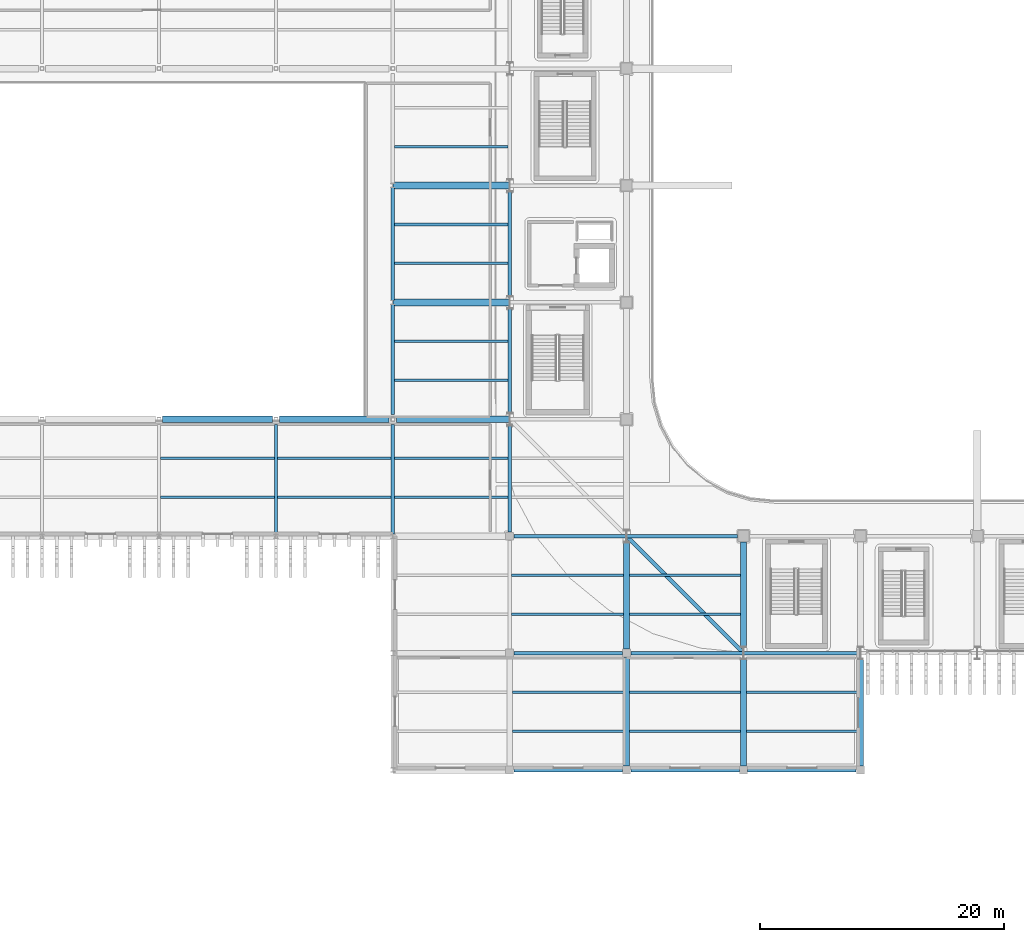
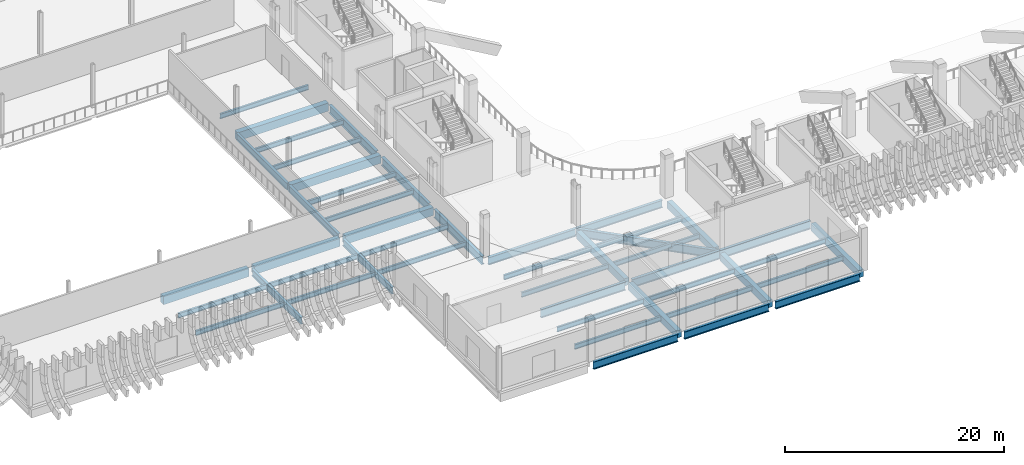
# One storey, part 17 of 100: 47 beams.
"""IFC4 building model written with IfcOpenShell, lengths in metres."""

import ifcopenshell
import ifcopenshell.guid

model = None  # the IFC model being written
_history = None  # IfcOwnerHistory: only IFC2X3 demands one
_inside = {}  # id of a spatial element -> (the spatial element, [elements in it])
_under = {}  # id of a project, library or spatial element -> (it, [spatial elements below it])
_declared = {}  # id of a project -> (the project, [libraries it declares])
_typed = {}  # id of a type object -> (the type object, [elements of that type])
_made_of = {}  # id of a material, layer set ... -> (it, [elements and type objects made of it])


def new_model(schema):
    """Start an empty IFC model of exactly this schema.

    Asked for "IFC4X3", IfcOpenShell would pick the latest addendum, in which some entities
    have other attributes; the version numbers below select the first issue.
    IFC2X3 requires an IfcOwnerHistory on every rooted entity: one is made here for all.
    """
    global model, _history
    if schema == "IFC4X3":
        model = ifcopenshell.file(schema_version=(4, 3, 0, 0))
    else:
        model = ifcopenshell.file(schema=schema)
    _inside.clear()
    _under.clear()
    _declared.clear()
    _typed.clear()
    _made_of.clear()
    _history = None
    if model.schema == "IFC2X3":
        org = make("IfcOrganization", Name="unknown")
        user = make(
            "IfcPersonAndOrganization",
            ThePerson=make("IfcPerson", FamilyName="unknown"),
            TheOrganization=org,
        )
        app = make(
            "IfcApplication",
            ApplicationDeveloper=org,
            Version="unknown",
            ApplicationFullName="unknown",
            ApplicationIdentifier="unknown",
        )
        _history = make(
            "IfcOwnerHistory",
            OwningUser=user,
            OwningApplication=app,
            ChangeAction="ADDED",
            CreationDate=0,
        )
    return model


def make(cls, **values):
    """One entity of the class cls with the attributes given. An attribute that is None is left unset."""
    return model.create_entity(
        cls, **{name: value for name, value in values.items() if value is not None}
    )


def rooted(cls, **values):
    """An entity with a GlobalId (a new one), such as an element, a storey or a relation."""
    return make(cls, GlobalId=ifcopenshell.guid.new(), OwnerHistory=_history, **values)


def si_unit(unit_type, name, prefix=None):
    """IfcSIUnit, for example si_unit("LENGTHUNIT", "METRE", prefix="MILLI")."""
    return make("IfcSIUnit", UnitType=unit_type, Prefix=prefix, Name=name)


def assignment(units):
    """IfcUnitAssignment: the units of a project."""
    return None if units is None else make("IfcUnitAssignment", Units=units)


def point(xyz):
    """IfcCartesianPoint."""
    return None if xyz is None else make("IfcCartesianPoint", Coordinates=xyz)


def direction(xyz):
    """IfcDirection."""
    return None if xyz is None else make("IfcDirection", DirectionRatios=xyz)


def frame(location, z_axis=None, x_axis=None):
    """IfcAxis2Placement3D, a coordinate frame: its origin and axes. An axis left out is left unset."""
    return make(
        "IfcAxis2Placement3D",
        Location=point(location),
        Axis=direction(z_axis),
        RefDirection=direction(x_axis),
    )


def frame_2d(location, x_axis=None):
    """IfcAxis2Placement2D, a coordinate frame in the plane: its origin and x axis."""
    return make(
        "IfcAxis2Placement2D", Location=point(location), RefDirection=direction(x_axis)
    )


def origin():
    """The frame at (0, 0, 0) with its axes left unset."""
    return frame((0.0, 0.0, 0.0))


def origin_2d():
    """The frame at (0, 0) in the plane with its x axis left unset."""
    return frame_2d((0.0, 0.0))


def place(relative_to, where):
    """IfcLocalPlacement: puts the frame where relative to a parent placement (None: the world)."""
    return make(
        "IfcLocalPlacement", PlacementRelTo=relative_to, RelativePlacement=where
    )


def context(
    kind, dimensions, precision=None, world=None, true_north=None, identifier=None
):
    """IfcGeometricRepresentationContext, for example the 3D "Model" context."""
    return make(
        "IfcGeometricRepresentationContext",
        ContextIdentifier=identifier,
        ContextType=kind,
        CoordinateSpaceDimension=dimensions,
        Precision=precision,
        WorldCoordinateSystem=world,
        TrueNorth=true_north,
    )


def subcontext(parent, identifier, kind, view, scale=None):
    """IfcGeometricRepresentationSubContext, for example "Body" below "Model"."""
    return make(
        "IfcGeometricRepresentationSubContext",
        ContextIdentifier=identifier,
        ContextType=kind,
        ParentContext=parent,
        TargetScale=scale,
        TargetView=view,
    )


def project(units=None, contexts=None):
    """IfcProject with its units and contexts."""
    return rooted(
        "IfcProject",
        Name="project",
        RepresentationContexts=contexts,
        UnitsInContext=assignment(units),
    )


def spatial(cls, under=None, at=None, **own):
    """A site, building, storey or space (cls), placed at a placement, below another one or the project."""
    s = rooted(cls, ObjectPlacement=at, **own)
    if under is not None:
        _under.setdefault(under.id(), (under, []))[1].append(s)
    return s


def profile(cls, at=None, kind="AREA", **sizes):
    """A parametric profile (cls). Its sizes go by their IFC names, for example OverallWidth=200.0."""
    return make(cls, ProfileType=kind, Position=at, **sizes)


def rectangle(**sizes):
    """IfcRectangleProfileDef."""
    return profile("IfcRectangleProfileDef", **sizes)


def i_section(**sizes):
    """IfcIShapeProfileDef."""
    return profile("IfcIShapeProfileDef", **sizes)


def extrude(swept, where, along, depth):
    """IfcExtrudedAreaSolid: the profile swept, set in the frame where, extruded along a direction by depth."""
    return make(
        "IfcExtrudedAreaSolid",
        SweptArea=swept,
        Position=where,
        ExtrudedDirection=direction(along),
        Depth=depth,
    )


def shape(context_of_items, identifier, shape_type, items):
    """IfcShapeRepresentation: the items that make up one representation, for example the "Body"."""
    return make(
        "IfcShapeRepresentation",
        ContextOfItems=context_of_items,
        RepresentationIdentifier=identifier,
        RepresentationType=shape_type,
        Items=items,
    )


def material(Name=None, Category=None):
    """IfcMaterial."""
    return make("IfcMaterial", Name=Name, Category=Category)


def material_profile(
    of_material, cross_section, Name=None, Category=None, Priority=None
):
    """IfcMaterialProfile: a cross section and its material."""
    return make(
        "IfcMaterialProfile",
        Name=Name,
        Material=of_material,
        Profile=cross_section,
        Priority=Priority,
        Category=Category,
    )


def profile_set(profiles, Name=None, composite=None):
    """IfcMaterialProfileSet."""
    return make(
        "IfcMaterialProfileSet",
        Name=Name,
        MaterialProfiles=profiles,
        CompositeProfile=composite,
    )


def made_of(thing, what):
    """Note that an element or type object is made of a material, layer set ...; save() writes the relation."""
    if what is not None:
        _made_of.setdefault(what.id(), (what, []))[1].append(thing)
    return thing


def type_object(cls, material=None, **own):
    """A type object (cls), such as IfcWallType, which elements share."""
    return made_of(rooted(cls, **own), material)


def element(
    cls,
    number,
    at=None,
    inside=None,
    cuts=None,
    type_object=None,
    material=None,
    context=None,
    identifier="Body",
    shape_type=None,
    held_by="IfcProductDefinitionShape",
    body=None,
    shapes=None,
    **own,
):
    """One element of the class cls, such as IfcWall. Its Tag is "e" and its number.

    at: its placement. inside: the storey or other place that contains it. cuts: it is an
    opening in that element (IfcRelVoidsElement). A single representation is given by context,
    identifier, shape_type and body (its items); several are given by shapes. held_by: the class
    of the entity that holds the representations. save() writes the other relations.
    """
    e = rooted(cls, Tag="e%d" % number, ObjectPlacement=at, **own)
    if body is not None:
        shapes = [shape(context, identifier, shape_type, body)]
    if shapes is not None:
        e.Representation = make(held_by, Representations=shapes)
    if inside is not None:
        _inside.setdefault(inside.id(), (inside, []))[1].append(e)
    if cuts is not None:
        rooted(
            "IfcRelVoidsElement", RelatingBuildingElement=cuts, RelatedOpeningElement=e
        )
    if type_object is not None:
        _typed.setdefault(type_object.id(), (type_object, []))[1].append(e)
    return made_of(e, material)


def aggregate(whole, parts):
    """IfcRelAggregates: a whole, such as a stair, and the parts it consists of."""
    return rooted("IfcRelAggregates", RelatingObject=whole, RelatedObjects=parts)


def save(model, path):
    """Write the relations noted so far, then the file.

    IfcRelAggregates (storeys below a building ...), IfcRelContainedInSpatialStructure (elements
    in a storey), IfcRelDefinesByType, IfcRelAssociatesMaterial and IfcRelDeclares: one each for
    every whole, place, type object, material and project.
    """
    for whole, parts in _under.values():
        aggregate(whole, parts)
    for where, things in _inside.values():
        rooted(
            "IfcRelContainedInSpatialStructure",
            RelatedElements=things,
            RelatingStructure=where,
        )
    for kind, things in _typed.values():
        rooted("IfcRelDefinesByType", RelatedObjects=things, RelatingType=kind)
    for what, things in _made_of.values():
        rooted("IfcRelAssociatesMaterial", RelatedObjects=things, RelatingMaterial=what)
    for by, libraries in _declared.values():
        rooted("IfcRelDeclares", RelatingContext=by, RelatedDefinitions=libraries)
    model.write(path)


model = new_model("IFC4")

# Units and contexts
model_context = context("Model", 3, precision=1e-05, world=origin(), true_north=direction((0.0, 1.0)))
body_context = subcontext(model_context, "Body", "Model", "MODEL_VIEW")
ifc_project = project(units=[si_unit("LENGTHUNIT", "METRE"), si_unit("AREAUNIT", "SQUARE_METRE"), si_unit("VOLUMEUNIT", "CUBIC_METRE"), si_unit("PLANEANGLEUNIT", "RADIAN"), si_unit("MASSUNIT", "GRAM", prefix="KILO")], contexts=[model_context])

# Site, building, storey
site_placement = place(None, origin())
site = spatial("IfcSite", under=ifc_project, at=site_placement, CompositionType="ELEMENT")
building_placement = place(site_placement, origin())
building = spatial("IfcBuilding", under=site, at=building_placement, Name="Caelomonte Colonnade Arena", CompositionType="ELEMENT")
storey_placement = place(building_placement, origin())
storey = spatial("IfcBuildingStorey", under=building, at=storey_placement, Name="L00", CompositionType="ELEMENT", Elevation=0.0)

# Beams
ifc_material_1 = material(Name="Wide-flange steel ASTM A992 Grade 50", Category="steel")
ifc_material_profile_1 = material_profile(ifc_material_1, i_section(OverallWidth=0.307861328125, OverallDepth=0.927001953125, WebThickness=0.019287109375, FlangeThickness=0.031982421875, FilletRadius=0.020263671875, at=origin_2d()), Name="W36X194")
ifc_profile_set_1 = profile_set([ifc_material_profile_1], Name="Wide-flange steel ASTM A992 Grade 50")
beam_type_1 = type_object("IfcBeamType", Name="STR-BM-EAVES2", PredefinedType="SPANDREL", material=ifc_profile_set_1)
beam_1_placement = place(storey_placement, frame((57.94189453125, 19.199951171875, -0.763427734375), z_axis=(1.0, 0.0, 0.0), x_axis=(0.0, 1.0, 0.0)))
element("IfcBeam", 1, at=beam_1_placement, inside=storey, type_object=beam_type_1, Name="L00 girder BMX-L00-0576-0192", PredefinedType="SPANDREL", context=body_context, shape_type="SweptSolid", body=[
    extrude(i_section(OverallWidth=0.307861328125, OverallDepth=0.927001953125, WebThickness=0.019287109375, FlangeThickness=0.031982421875, FilletRadius=0.020263671875, at=origin_2d()), origin(), (0.0, 0.0, 1.0), 8.916015625),
])
beam_2_placement = place(storey_placement, frame((67.5419921875, 19.199951171875, -0.763427734375), z_axis=(1.0, 0.0, 0.0), x_axis=(0.0, 1.0, 0.0)))
element("IfcBeam", 2, at=beam_2_placement, inside=storey, type_object=beam_type_1, Name="L00 girder BMX-L00-0672-0192", PredefinedType="SPANDREL", context=body_context, shape_type="SweptSolid", body=[
    extrude(i_section(OverallWidth=0.307861328125, OverallDepth=0.927001953125, WebThickness=0.019287109375, FlangeThickness=0.031982421875, FilletRadius=0.020263671875, at=origin_2d()), origin(), (0.0, 0.0, 1.0), 9.242431640625),
])
beam_3_placement = place(storey_placement, frame((76.8154296875, 19.199951171875, -0.763427734375), z_axis=(1.0, 0.0, 0.0), x_axis=(0.0, 1.0, 0.0)))
element("IfcBeam", 3, at=beam_3_placement, inside=storey, type_object=beam_type_1, Name="L00 girder BMX-L00-0768-0192", PredefinedType="SPANDREL", context=body_context, shape_type="SweptSolid", body=[
    extrude(i_section(OverallWidth=0.307861328125, OverallDepth=0.927001953125, WebThickness=0.019287109375, FlangeThickness=0.031982421875, FilletRadius=0.020263671875, at=origin_2d()), origin(), (0.0, 0.0, 1.0), 9.569091796875),
])
beam_4_placement = place(storey_placement, frame((57.60009765625, 29.14208984375, -0.763427734375), z_axis=(0.0, 1.0, 0.0), x_axis=(-1.0, 0.0, 0.0)))
element("IfcBeam", 4, at=beam_4_placement, inside=storey, type_object=beam_type_1, Name="L00 girder BMY-L00-0576-0288", PredefinedType="SPANDREL", context=body_context, shape_type="SweptSolid", body=[
    extrude(i_section(OverallWidth=0.307861328125, OverallDepth=0.927001953125, WebThickness=0.019287109375, FlangeThickness=0.031982421875, FilletRadius=0.020263671875, at=origin_2d()), origin(), (0.0, 0.0, 1.0), 8.7451171875),
])
for number, where, z_axis, x_axis, name in (
    (5, (57.60009765625, 38.91259765625, -0.763427734375), (0.0, 1.0, 0.0), (-1.0, 0.0, 0.0), "L00 girder BMY-L00-0576-0384"),
    (6, (57.60009765625, 48.5126953125, -0.763427734375), (0.0, 1.0, 0.0), (-1.0, 0.0, 0.0), "L00 girder BMY-L00-0576-0480"),
):
    element("IfcBeam", number, at=place(storey_placement, frame(where, z_axis=z_axis, x_axis=x_axis)), inside=storey, type_object=beam_type_1, Name=name, PredefinedType="SPANDREL", context=body_context, shape_type="SweptSolid", body=[
        extrude(i_section(OverallWidth=0.307861328125, OverallDepth=0.927001953125, WebThickness=0.019287109375, FlangeThickness=0.031982421875, FilletRadius=0.020263671875, at=origin_2d()), origin(), (0.0, 0.0, 1.0), 8.57470703125),
    ])
beam_5_placement = place(storey_placement, frame((67.34521484375, 28.65478515625, -0.763427734375), z_axis=(0.707106781187, -0.707106781187, 0.0), x_axis=(0.707106781187, 0.707106781187, 0.0)))
element("IfcBeam", 7, at=beam_5_placement, inside=storey, type_object=beam_type_1, Name="L00 drum corner ring girder 2", PredefinedType="SPANDREL", context=body_context, shape_type="SweptSolid", body=[
    extrude(i_section(OverallWidth=0.307861328125, OverallDepth=0.927001953125, WebThickness=0.019287109375, FlangeThickness=0.031982421875, FilletRadius=0.020263671875, at=origin_2d()), origin(), (0.0, 0.0, 1.0), 13.165771484375),
])
ifc_material_profile_2 = material_profile(ifc_material_1, i_section(OverallWidth=0.2666015625, OverallDepth=0.761962890625, WebThickness=0.014404296875, FlangeThickness=0.021484375, FilletRadius=0.0166015625, at=origin_2d()), Name="W30X116")
ifc_profile_set_2 = profile_set([ifc_material_profile_2], Name="Wide-flange steel ASTM A992 Grade 50")
beam_type_2 = type_object("IfcBeamType", Name="STR-BM-GIRD30", PredefinedType="BEAM", material=ifc_profile_set_2)
for number, where, z_axis, x_axis, name in (
    (8, (38.39990234375, 28.978271484375, -0.680908203125), (0.0, 1.0, 0.0), (-1.0, 0.0, 0.0), "L00 girder BMY-L00-0384-0288"),
    (9, (48.0, 28.978271484375, -0.680908203125), (0.0, 1.0, 0.0), (-1.0, 0.0, 0.0), "L00 girder BMY-L00-0480-0288"),
):
    element("IfcBeam", number, at=place(storey_placement, frame(where, z_axis=z_axis, x_axis=x_axis)), inside=storey, type_object=beam_type_2, Name=name, PredefinedType="BEAM", context=body_context, shape_type="SweptSolid", body=[
        extrude(i_section(OverallWidth=0.2666015625, OverallDepth=0.761962890625, WebThickness=0.014404296875, FlangeThickness=0.021484375, FilletRadius=0.0166015625, at=origin_2d()), origin(), (0.0, 0.0, 1.0), 9.004638671875),
    ])
beam_6_placement = place(storey_placement, frame((48.0, 38.81689453125, -0.680908203125), z_axis=(0.0, 1.0, 0.0), x_axis=(-1.0, 0.0, 0.0)))
element("IfcBeam", 10, at=beam_6_placement, inside=storey, type_object=beam_type_2, Name="L00 girder BMY-L00-0480-0384", PredefinedType="BEAM", context=body_context, shape_type="SweptSolid", body=[
    extrude(i_section(OverallWidth=0.2666015625, OverallDepth=0.761962890625, WebThickness=0.014404296875, FlangeThickness=0.021484375, FilletRadius=0.0166015625, at=origin_2d()), origin(), (0.0, 0.0, 1.0), 9.0048828125),
])
beam_7_placement = place(storey_placement, frame((48.0, 48.17822265625, -0.680908203125), z_axis=(0.0, 1.0, 0.0), x_axis=(-1.0, 0.0, 0.0)))
element("IfcBeam", 11, at=beam_7_placement, inside=storey, type_object=beam_type_2, Name="L00 girder BMY-L00-0480-0480", PredefinedType="BEAM", context=body_context, shape_type="SweptSolid", body=[
    extrude(i_section(OverallWidth=0.2666015625, OverallDepth=0.761962890625, WebThickness=0.014404296875, FlangeThickness=0.021484375, FilletRadius=0.0166015625, at=origin_2d()), origin(), (0.0, 0.0, 1.0), 9.24365234375),
])
ifc_material_profile_3 = material_profile(ifc_material_1, i_section(OverallWidth=0.2919921875, OverallDepth=0.845703125, WebThickness=0.015380859375, FlangeThickness=0.0244140625, FilletRadius=0.017822265625, at=origin_2d()), Name="W33X141")
ifc_profile_set_3 = profile_set([ifc_material_profile_3], Name="Wide-flange steel ASTM A992 Grade 50")
beam_type_3 = type_object("IfcBeamType", Name="STR-BM-GIRD33", PredefinedType="BEAM", material=ifc_profile_set_3)
for number, where, z_axis, x_axis, name in (
    (12, (57.94189453125, 9.60009765625, -0.722900390625), (1.0, 0.0, 0.0), (0.0, 1.0, 0.0), "L00 girder BMX-L00-0576-0096"),
    (13, (67.5419921875, 9.60009765625, -0.722900390625), (1.0, 0.0, 0.0), (0.0, 1.0, 0.0), "L00 girder BMX-L00-0672-0096"),
    (14, (77.14208984375, 9.60009765625, -0.722900390625), (1.0, 0.0, 0.0), (0.0, 1.0, 0.0), "L00 girder BMX-L00-0768-0096"),
):
    element("IfcBeam", number, at=place(storey_placement, frame(where, z_axis=z_axis, x_axis=x_axis)), inside=storey, type_object=beam_type_3, Name=name, PredefinedType="BEAM", context=body_context, shape_type="SweptSolid", body=[
        extrude(i_section(OverallWidth=0.2919921875, OverallDepth=0.845703125, WebThickness=0.015380859375, FlangeThickness=0.0244140625, FilletRadius=0.017822265625, at=origin_2d()), origin(), (0.0, 0.0, 1.0), 8.916015625),
    ])
beam_8_placement = place(storey_placement, frame((57.94189453125, 28.800048828125, -0.722900390625), z_axis=(1.0, 0.0, 0.0), x_axis=(0.0, 1.0, 0.0)))
element("IfcBeam", 15, at=beam_8_placement, inside=storey, type_object=beam_type_3, Name="L00 girder BMX-L00-0576-0288", PredefinedType="BEAM", context=body_context, shape_type="SweptSolid", body=[
    extrude(i_section(OverallWidth=0.2919921875, OverallDepth=0.845703125, WebThickness=0.015380859375, FlangeThickness=0.0244140625, FilletRadius=0.017822265625, at=origin_2d()), origin(), (0.0, 0.0, 1.0), 9.24267578125),
])
beam_9_placement = place(storey_placement, frame((67.215576171875, 28.800048828125, -0.722900390625), z_axis=(1.0, 0.0, 0.0), x_axis=(0.0, 1.0, 0.0)))
element("IfcBeam", 16, at=beam_9_placement, inside=storey, type_object=beam_type_3, Name="L00 girder BMX-L00-0672-0288", PredefinedType="BEAM", context=body_context, shape_type="SweptSolid", body=[
    extrude(i_section(OverallWidth=0.2919921875, OverallDepth=0.845703125, WebThickness=0.015380859375, FlangeThickness=0.0244140625, FilletRadius=0.017822265625, at=origin_2d()), origin(), (0.0, 0.0, 1.0), 9.092529296875),
])
ifc_material_profile_4 = material_profile(ifc_material_1, i_section(OverallWidth=0.209228515625, OverallDepth=0.533447265625, WebThickness=0.01025390625, FlangeThickness=0.015625, FilletRadius=0.0126953125, at=origin_2d()), Name="W21X62")
ifc_profile_set_4 = profile_set([ifc_material_profile_4], Name="Wide-flange steel ASTM A992 Grade 50")
beam_type_4 = type_object("IfcBeamType", Name="STR-BM-JOIST21", PredefinedType="JOIST", material=ifc_profile_set_4)
for number, where, z_axis, x_axis, name in (
    (17, (28.928466796875, 32.0, -0.566650390625), (1.0, 0.0, 0.0), (0.0, 1.0, 0.0), "L00 secondary joist 1"),
    (18, (28.928466796875, 35.199951171875, -0.566650390625), (1.0, 0.0, 0.0), (0.0, 1.0, 0.0), "L00 secondary joist 2"),
    (19, (38.5283203125, 32.0, -0.566650390625), (1.0, 0.0, 0.0), (0.0, 1.0, 0.0), "L00 secondary joist 1"),
    (20, (38.5283203125, 35.199951171875, -0.566650390625), (1.0, 0.0, 0.0), (0.0, 1.0, 0.0), "L00 secondary joist 2"),
):
    element("IfcBeam", number, at=place(storey_placement, frame(where, z_axis=z_axis, x_axis=x_axis)), inside=storey, type_object=beam_type_4, Name=name, PredefinedType="JOIST", context=body_context, shape_type="SweptSolid", body=[
        extrude(i_section(OverallWidth=0.209228515625, OverallDepth=0.533447265625, WebThickness=0.01025390625, FlangeThickness=0.015625, FilletRadius=0.0126953125, at=origin_2d()), origin(), (0.0, 0.0, 1.0), 9.34326171875),
    ])
for number, where, z_axis, x_axis, name in (
    (21, (48.12841796875, 32.0, -0.566650390625), (1.0, 0.0, 0.0), (0.0, 1.0, 0.0), "L00 secondary joist 1"),
    (22, (48.12841796875, 35.199951171875, -0.566650390625), (1.0, 0.0, 0.0), (0.0, 1.0, 0.0), "L00 secondary joist 2"),
    (23, (48.12841796875, 41.60009765625, -0.566650390625), (1.0, 0.0, 0.0), (0.0, 1.0, 0.0), "L00 secondary joist 1"),
    (24, (48.12841796875, 44.800048828125, -0.566650390625), (1.0, 0.0, 0.0), (0.0, 1.0, 0.0), "L00 secondary joist 2"),
    (25, (48.12841796875, 51.199951171875, -0.566650390625), (1.0, 0.0, 0.0), (0.0, 1.0, 0.0), "L00 secondary joist 1"),
    (26, (48.12841796875, 54.39990234375, -0.566650390625), (1.0, 0.0, 0.0), (0.0, 1.0, 0.0), "L00 secondary joist 2"),
    (27, (48.12841796875, 60.800048828125, -0.566650390625), (1.0, 0.0, 0.0), (0.0, 1.0, 0.0), "L00 secondary joist 1"),
):
    element("IfcBeam", number, at=place(storey_placement, frame(where, z_axis=z_axis, x_axis=x_axis)), inside=storey, type_object=beam_type_4, Name=name, PredefinedType="JOIST", context=body_context, shape_type="SweptSolid", body=[
        extrude(i_section(OverallWidth=0.209228515625, OverallDepth=0.533447265625, WebThickness=0.01025390625, FlangeThickness=0.015625, FilletRadius=0.0126953125, at=origin_2d()), origin(), (0.0, 0.0, 1.0), 9.32275390625),
    ])
for number, where, z_axis, x_axis, name in (
    (28, (57.820068359375, 12.800048828125, -0.566650390625), (1.0, 0.0, 0.0), (0.0, 1.0, 0.0), "L00 secondary joist 1"),
    (29, (57.820068359375, 16.0, -0.566650390625), (1.0, 0.0, 0.0), (0.0, 1.0, 0.0), "L00 secondary joist 2"),
):
    element("IfcBeam", number, at=place(storey_placement, frame(where, z_axis=z_axis, x_axis=x_axis)), inside=storey, type_object=beam_type_4, Name=name, PredefinedType="JOIST", context=body_context, shape_type="SweptSolid", body=[
        extrude(i_section(OverallWidth=0.209228515625, OverallDepth=0.533447265625, WebThickness=0.01025390625, FlangeThickness=0.015625, FilletRadius=0.0126953125, at=origin_2d()), origin(), (0.0, 0.0, 1.0), 9.135009765625),
    ])
for number, where, z_axis, x_axis, name in (
    (30, (57.748779296875, 22.39990234375, -0.566650390625), (1.0, 0.0, 0.0), (0.0, 1.0, 0.0), "L00 secondary joist 1"),
    (31, (57.748779296875, 25.60009765625, -0.566650390625), (1.0, 0.0, 0.0), (0.0, 1.0, 0.0), "L00 secondary joist 2"),
):
    element("IfcBeam", number, at=place(storey_placement, frame(where, z_axis=z_axis, x_axis=x_axis)), inside=storey, type_object=beam_type_4, Name=name, PredefinedType="JOIST", context=body_context, shape_type="SweptSolid", body=[
        extrude(i_section(OverallWidth=0.209228515625, OverallDepth=0.533447265625, WebThickness=0.01025390625, FlangeThickness=0.015625, FilletRadius=0.0126953125, at=origin_2d()), origin(), (0.0, 0.0, 1.0), 9.206298828125),
    ])
for number, where, z_axis, x_axis, name in (
    (32, (67.445068359375, 12.800048828125, -0.566650390625), (1.0, 0.0, 0.0), (0.0, 1.0, 0.0), "L00 secondary joist 1"),
    (33, (67.445068359375, 16.0, -0.566650390625), (1.0, 0.0, 0.0), (0.0, 1.0, 0.0), "L00 secondary joist 2"),
    (34, (67.445068359375, 22.39990234375, -0.566650390625), (1.0, 0.0, 0.0), (0.0, 1.0, 0.0), "L00 secondary joist 1"),
    (35, (67.445068359375, 25.60009765625, -0.566650390625), (1.0, 0.0, 0.0), (0.0, 1.0, 0.0), "L00 secondary joist 2"),
):
    element("IfcBeam", number, at=place(storey_placement, frame(where, z_axis=z_axis, x_axis=x_axis)), inside=storey, type_object=beam_type_4, Name=name, PredefinedType="JOIST", context=body_context, shape_type="SweptSolid", body=[
        extrude(i_section(OverallWidth=0.209228515625, OverallDepth=0.533447265625, WebThickness=0.01025390625, FlangeThickness=0.015625, FilletRadius=0.0126953125, at=origin_2d()), origin(), (0.0, 0.0, 1.0), 9.10986328125),
    ])
for number, where, z_axis, x_axis, name in (
    (36, (77.044921875, 12.800048828125, -0.566650390625), (1.0, 0.0, 0.0), (0.0, 1.0, 0.0), "L00 secondary joist 1"),
    (37, (77.044921875, 16.0, -0.566650390625), (1.0, 0.0, 0.0), (0.0, 1.0, 0.0), "L00 secondary joist 2"),
):
    element("IfcBeam", number, at=place(storey_placement, frame(where, z_axis=z_axis, x_axis=x_axis)), inside=storey, type_object=beam_type_4, Name=name, PredefinedType="JOIST", context=body_context, shape_type="SweptSolid", body=[
        extrude(i_section(OverallWidth=0.209228515625, OverallDepth=0.533447265625, WebThickness=0.01025390625, FlangeThickness=0.015625, FilletRadius=0.0126953125, at=origin_2d()), origin(), (0.0, 0.0, 1.0), 9.110107421875),
    ])
ifc_material_2 = material(Name="Concrete C40/50", Category="concrete")
ifc_material_profile_5 = material_profile(ifc_material_2, rectangle(XDim=0.5, YDim=0.800048828125, at=origin_2d()), Name="RC500X800")
ifc_profile_set_5 = profile_set([ifc_material_profile_5], Name="Concrete C40/50")
beam_type_5 = type_object("IfcBeamType", Name="STR-BM-RC50", PredefinedType="BEAM", material=ifc_profile_set_5)
beam_10_placement = place(storey_placement, frame((67.199951171875, 9.94189453125, -0.699951171875), z_axis=(0.0, 1.0, 0.0), x_axis=(-1.0, 0.0, 0.0)))
element("IfcBeam", 38, at=beam_10_placement, inside=storey, type_object=beam_type_5, Name="L00 girder BMY-L00-0672-0096", PredefinedType="BEAM", context=body_context, shape_type="SweptSolid", body=[
    extrude(rectangle(XDim=0.5, YDim=0.800048828125, at=origin_2d()), origin(), (0.0, 0.0, 1.0), 8.916015625),
])
for number, where, z_axis, x_axis, name in (
    (39, (67.199951171875, 19.5419921875, -0.699951171875), (0.0, 1.0, 0.0), (-1.0, 0.0, 0.0), "L00 girder BMY-L00-0672-0192"),
    (40, (76.800048828125, 9.94189453125, -0.699951171875), (0.0, 1.0, 0.0), (-1.0, 0.0, 0.0), "L00 girder BMY-L00-0768-0096"),
):
    element("IfcBeam", number, at=place(storey_placement, frame(where, z_axis=z_axis, x_axis=x_axis)), inside=storey, type_object=beam_type_5, Name=name, PredefinedType="BEAM", context=body_context, shape_type="SweptSolid", body=[
        extrude(rectangle(XDim=0.5, YDim=0.800048828125, at=origin_2d()), origin(), (0.0, 0.0, 1.0), 8.745361328125),
    ])
beam_11_placement = place(storey_placement, frame((76.800048828125, 19.712646484375, -0.699951171875), z_axis=(0.0, 1.0, 0.0), x_axis=(-1.0, 0.0, 0.0)))
element("IfcBeam", 41, at=beam_11_placement, inside=storey, type_object=beam_type_5, Name="L00 girder BMY-L00-0768-0192", PredefinedType="BEAM", context=body_context, shape_type="SweptSolid", body=[
    extrude(rectangle(XDim=0.5, YDim=0.800048828125, at=origin_2d()), origin(), (0.0, 0.0, 1.0), 8.595458984375),
])
beam_12_placement = place(storey_placement, frame((86.39990234375, 9.94189453125, -0.699951171875), z_axis=(0.0, 1.0, 0.0), x_axis=(-1.0, 0.0, 0.0)))
element("IfcBeam", 42, at=beam_12_placement, inside=storey, type_object=beam_type_5, Name="L00 girder BMY-L00-0864-0096", PredefinedType="BEAM", context=body_context, shape_type="SweptSolid", body=[
    extrude(rectangle(XDim=0.5, YDim=0.800048828125, at=origin_2d()), origin(), (0.0, 0.0, 1.0), 8.745361328125),
])
ifc_material_profile_6 = material_profile(ifc_material_2, rectangle(XDim=0.550048828125, YDim=0.89990234375, at=origin_2d()), Name="RC550X900")
ifc_profile_set_6 = profile_set([ifc_material_profile_6], Name="Concrete C40/50")
beam_type_6 = type_object("IfcBeamType", Name="STR-BM-RC55", PredefinedType="BEAM", material=ifc_profile_set_6)
beam_13_placement = place(storey_placement, frame((29.092041015625, 38.39990234375, -0.75), z_axis=(1.0, 0.0, 0.0), x_axis=(0.0, 1.0, 0.0)))
element("IfcBeam", 43, at=beam_13_placement, inside=storey, type_object=beam_type_6, Name="L00 girder BMX-L00-0288-0384", PredefinedType="BEAM", context=body_context, shape_type="SweptSolid", body=[
    extrude(rectangle(XDim=0.550048828125, YDim=0.89990234375, at=origin_2d()), origin(), (0.0, 0.0, 1.0), 9.015869140625),
])
beam_14_placement = place(storey_placement, frame((38.69189453125, 38.39990234375, -0.75), z_axis=(1.0, 0.0, 0.0), x_axis=(0.0, 1.0, 0.0)))
element("IfcBeam", 44, at=beam_14_placement, inside=storey, type_object=beam_type_6, Name="L00 girder BMX-L00-0384-0384", PredefinedType="BEAM", context=body_context, shape_type="SweptSolid", body=[
    extrude(rectangle(XDim=0.550048828125, YDim=0.89990234375, at=origin_2d()), origin(), (0.0, 0.0, 1.0), 9.01611328125),
])
beam_15_placement = place(storey_placement, frame((48.2919921875, 38.39990234375, -0.75), z_axis=(1.0, 0.0, 0.0), x_axis=(0.0, 1.0, 0.0)))
element("IfcBeam", 45, at=beam_15_placement, inside=storey, type_object=beam_type_6, Name="L00 girder BMX-L00-0480-0384", PredefinedType="BEAM", context=body_context, shape_type="SweptSolid", body=[
    extrude(rectangle(XDim=0.550048828125, YDim=0.89990234375, at=origin_2d()), origin(), (0.0, 0.0, 1.0), 9.29248046875),
])
for number, where, z_axis, x_axis, name in (
    (46, (48.00830078125, 48.0, -0.75), (1.0, 0.0, 0.0), (0.0, 1.0, 0.0), "L00 girder BMX-L00-0480-0480"),
    (47, (48.00830078125, 57.60009765625, -0.75), (1.0, 0.0, 0.0), (0.0, 1.0, 0.0), "L00 girder BMX-L00-0480-0576"),
):
    element("IfcBeam", number, at=place(storey_placement, frame(where, z_axis=z_axis, x_axis=x_axis)), inside=storey, type_object=beam_type_6, Name=name, PredefinedType="BEAM", context=body_context, shape_type="SweptSolid", body=[
        extrude(rectangle(XDim=0.550048828125, YDim=0.89990234375, at=origin_2d()), origin(), (0.0, 0.0, 1.0), 9.576171875),
    ])

save(model, "model.ifc")
